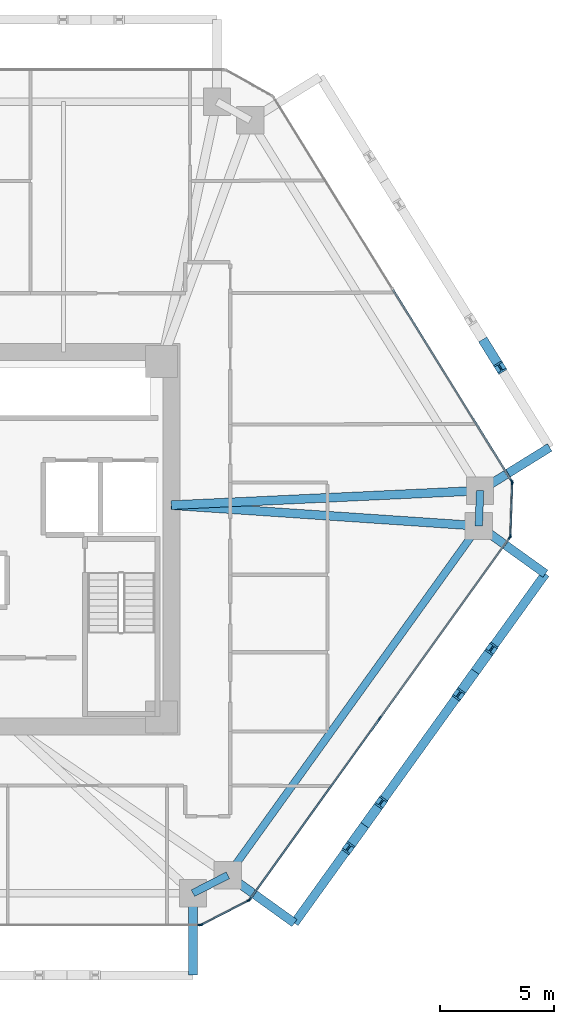
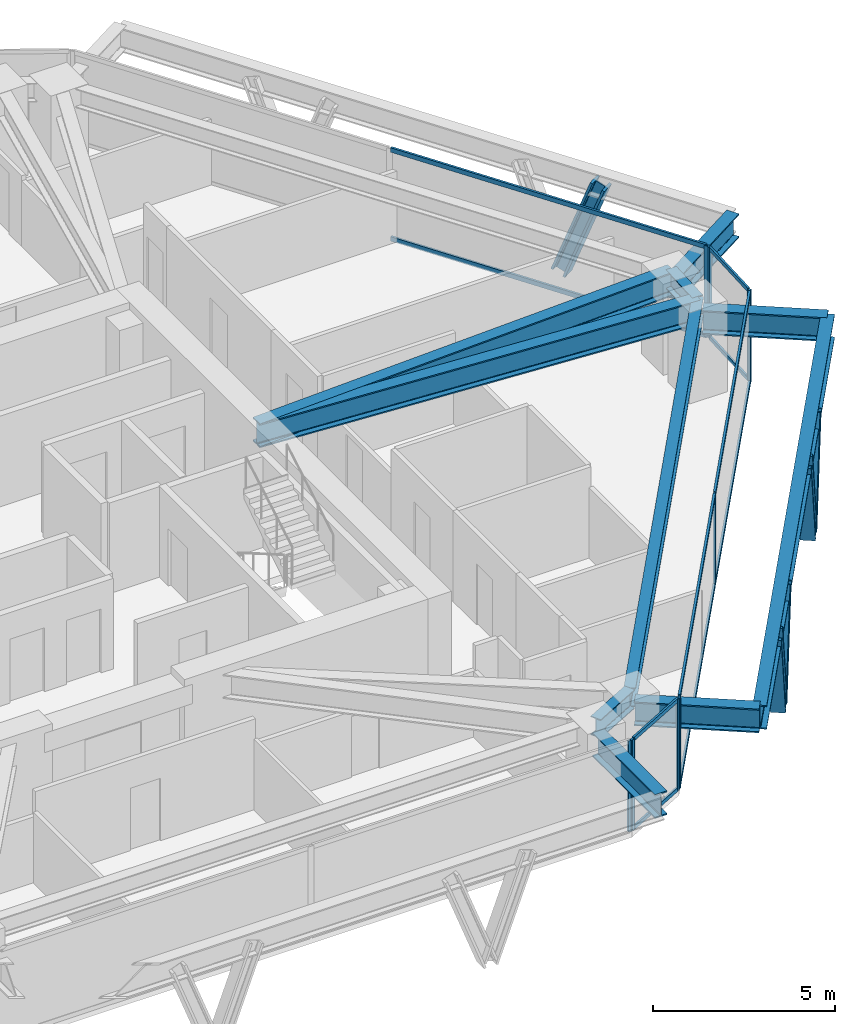
# One storey, part 5 of 14: 24 members, 10 beams, 5 elements without a shape of their own.
"""IFC4 building model written with IfcOpenShell, lengths in metres."""

from ifc_helpers import new_model, si_unit, direction, frame, origin, origin_2d, place, context, subcontext, project, spatial, rectangle, i_section, extrude, source, transform, mapped, material, layer, layer_set, material_profile, profile_set, type_object, type_shapes, element, aggregate, save


model = new_model("IFC4")

# Units and contexts
model_context = context("Model", 3, precision=1e-05, world=origin(), true_north=direction((0.0, 1.0)))
body_context = subcontext(model_context, "Body", "Model", "MODEL_VIEW")
ifc_project = project(units=[si_unit("LENGTHUNIT", "METRE"), si_unit("AREAUNIT", "SQUARE_METRE"), si_unit("VOLUMEUNIT", "CUBIC_METRE"), si_unit("PLANEANGLEUNIT", "RADIAN"), si_unit("MASSUNIT", "GRAM", prefix="KILO")], contexts=[model_context])

# Site, building, storey
site_placement = place(None, origin())
site = spatial("IfcSite", under=ifc_project, at=site_placement, CompositionType="ELEMENT")
building_placement = place(site_placement, origin())
building = spatial("IfcBuilding", under=site, at=building_placement, Name="Durnholm Broadcast Tower", CompositionType="ELEMENT")
storey_placement = place(building_placement, frame((0.0, 0.0, 107.39990234375)))
storey = spatial("IfcBuildingStorey", under=building, at=storey_placement, Name="L28", CompositionType="ELEMENT", Elevation=107.39990234375)

# Beams
ifc_material_1 = material(Name="Steel ASTM A992 Grade 50", Category="steel")
ifc_material_profile_1 = material_profile(ifc_material_1, i_section(OverallWidth=0.385009765625, OverallDepth=0.802978515625, WebThickness=0.023681640625, FlangeThickness=0.0419921875, FilletRadius=0.032958984375, at=origin_2d()), Name="W30X261")
ifc_profile_set_1 = profile_set([ifc_material_profile_1], Name="Steel ASTM A992 Grade 50")
beam_type_1 = type_object("IfcBeamType", Name="BM-EXO-TIE", PredefinedType="USERDEFINED", material=ifc_profile_set_1)
shared_shape_1 = source(origin(), body_context, "Body", "SweptSolid", [
    extrude(i_section(OverallWidth=0.385009765625, OverallDepth=0.802978515625, WebThickness=0.023681640625, FlangeThickness=0.0419921875, FilletRadius=0.032958984375, at=origin_2d()), origin(), (0.0, 0.0, 1.0), 3.4560546875),
])
for number, where, z_axis, x_axis, name in (
    (1, (11.176025390625, -15.680908203125, 2.30859375), (0.0, -1.0, 0.0), (1.0, 0.0, 0.0), "L28 exoskeleton stand-off tie bracket F1.2"),
    (2, (12.826904296875, -14.834228515625, 2.30859375), (0.812164951739, -0.583427880005, 0.0), (0.583427880005, 0.812164951739, 0.0), "L28 exoskeleton stand-off tie bracket F2.1"),
    (3, (23.844970703125, 0.5029296875, 2.30859375), (0.812164951739, -0.583427880005, 0.0), (0.583427880005, 0.812164951739, 0.0), "L28 exoskeleton stand-off tie bracket F2.2"),
    (4, (23.903076171875, 2.21240234375, 2.30859375), (0.849795112316, 0.527113144481, 0.0), (-0.527113144481, 0.849795112316, 0.0), "L28 exoskeleton stand-off tie bracket F3.1"),
):
    element("IfcBeam", number, at=place(storey_placement, frame(where, z_axis=z_axis, x_axis=x_axis)), inside=storey, type_object=beam_type_1, Name=name, ObjectType="GIRDER", PredefinedType="USERDEFINED", context=body_context, shape_type="MappedRepresentation", body=[
        mapped(shared_shape_1, transform((0.0, 0.0, 0.0), x_axis=(1.0, 0.0, 0.0), y_axis=(0.0, 1.0, 0.0), z_axis=(0.0, 0.0, 1.0), scale=1.0)),
    ])
ifc_material_profile_2 = material_profile(ifc_material_1, i_section(OverallWidth=0.3291015625, OverallDepth=0.635009765625, WebThickness=0.017822265625, FlangeThickness=0.031005859375, FilletRadius=0.02783203125, at=origin_2d()), Name="W24X162")
ifc_profile_set_2 = profile_set([ifc_material_profile_2], Name="Steel ASTM A992 Grade 50")
beam_type_2 = type_object("IfcBeamType", Name="STL-SP-W24X162", PredefinedType="SPANDREL", material=ifc_profile_set_2)
shared_shape_2 = source(origin(), body_context, "Body", "SweptSolid", [
    extrude(i_section(OverallWidth=0.3291015625, OverallDepth=0.635009765625, WebThickness=0.017822265625, FlangeThickness=0.031005859375, FilletRadius=0.02783203125, at=origin_2d()), origin(), (0.0, 0.0, 1.0), 18.884521484375),
])
beam_1_placement = place(storey_placement, frame((23.72802734375, 0.5869140625, 2.7275390625), z_axis=(-0.583443434414, -0.812153777827, 0.0), x_axis=(0.812153777827, -0.583443434414, 0.0)))
element("IfcBeam", 5, at=beam_1_placement, inside=storey, type_object=beam_type_2, Name="L28 perimeter spandrel girder 09", PredefinedType="SPANDREL", context=body_context, shape_type="MappedRepresentation", body=[
    mapped(shared_shape_2, transform((0.0, 0.0, 0.0), x_axis=(1.0, 0.0, 0.0), y_axis=(0.0, 1.0, 0.0), z_axis=(0.0, 0.0, 1.0), scale=1.0)),
])
shared_shape_3 = source(origin(), body_context, "Body", "SweptSolid", [
    extrude(i_section(OverallWidth=0.3291015625, OverallDepth=0.635009765625, WebThickness=0.017822265625, FlangeThickness=0.031005859375, FilletRadius=0.02783203125, at=origin_2d()), origin(), (0.0, 0.0, 1.0), 1.723876953125),
])
beam_2_placement = place(storey_placement, frame((12.7099609375, -14.750244140625, 2.7275390625), z_axis=(-0.889762904339, -0.456423020959, 0.0), x_axis=(0.456423020959, -0.889762904339, 0.0)))
element("IfcBeam", 6, at=beam_2_placement, inside=storey, type_object=beam_type_2, Name="L28 perimeter spandrel girder 10", PredefinedType="SPANDREL", context=body_context, shape_type="MappedRepresentation", body=[
    mapped(shared_shape_3, transform((0.0, 0.0, 0.0), x_axis=(1.0, 0.0, 0.0), y_axis=(0.0, 1.0, 0.0), z_axis=(0.0, 0.0, 1.0), scale=1.0)),
])
shared_shape_4 = source(origin(), body_context, "Body", "SweptSolid", [
    extrude(i_section(OverallWidth=0.3291015625, OverallDepth=0.635009765625, WebThickness=0.017822265625, FlangeThickness=0.031005859375, FilletRadius=0.02783203125, at=origin_2d()), origin(), (0.0, 0.0, 1.0), 1.55078125),
])
type_shapes(beam_type_2, [shared_shape_2, shared_shape_3, shared_shape_4])
beam_3_placement = place(storey_placement, frame((23.78076171875, 2.13671875, 2.7275390625), z_axis=(-0.03400678419, -0.999421602042, 0.0), x_axis=(0.999421602042, -0.03400678419, 0.0)))
element("IfcBeam", 7, at=beam_3_placement, inside=storey, type_object=beam_type_2, Name="L28 perimeter spandrel girder 08", PredefinedType="SPANDREL", context=body_context, shape_type="MappedRepresentation", body=[
    mapped(shared_shape_4, transform((0.0, 0.0, 0.0), x_axis=(1.0, 0.0, 0.0), y_axis=(0.0, 1.0, 0.0), z_axis=(0.0, 0.0, 1.0), scale=1.0)),
])
ifc_material_profile_3 = material_profile(ifc_material_1, i_section(OverallWidth=0.385009765625, OverallDepth=0.802978515625, WebThickness=0.023681640625, FlangeThickness=0.0419921875, FilletRadius=0.032958984375, at=origin_2d()), Name="W30X261")
ifc_profile_set_3 = profile_set([ifc_material_profile_3], Name="Steel ASTM A992 Grade 50")
beam_type_3 = type_object("IfcBeamType", Name="STL-GR-W30X261", PredefinedType="USERDEFINED", material=ifc_profile_set_3)
shared_shape_5 = source(origin(), body_context, "Body", "SweptSolid", [
    extrude(i_section(OverallWidth=0.385009765625, OverallDepth=0.802978515625, WebThickness=0.023681640625, FlangeThickness=0.0419921875, FilletRadius=0.032958984375, at=origin_2d()), origin(), (0.0, 0.0, 1.0), 13.570556640625),
])
beam_4_placement = place(storey_placement, frame((10.22509765625, 1.5, 2.6435546875), z_axis=(0.99889869961, 0.046918950518, 0.0), x_axis=(-0.046918950518, 0.99889869961, 0.0)))
element("IfcBeam", 8, at=beam_4_placement, inside=storey, type_object=beam_type_3, Name="L28 radial primary floor girder 08", ObjectType="GIRDER", PredefinedType="USERDEFINED", context=body_context, shape_type="MappedRepresentation", body=[
    mapped(shared_shape_5, transform((0.0, 0.0, 0.0), x_axis=(1.0, 0.0, 0.0), y_axis=(0.0, 1.0, 0.0), z_axis=(0.0, 0.0, 1.0), scale=1.0)),
])
shared_shape_6 = source(origin(), body_context, "Body", "SweptSolid", [
    extrude(i_section(OverallWidth=0.385009765625, OverallDepth=0.802978515625, WebThickness=0.023681640625, FlangeThickness=0.0419921875, FilletRadius=0.032958984375, at=origin_2d()), origin(), (0.0, 0.0, 1.0), 13.53369140625),
])
type_shapes(beam_type_3, [shared_shape_5, shared_shape_6])
beam_5_placement = place(storey_placement, frame((10.22509765625, 1.5, 2.6435546875), z_axis=(0.99772148964, -0.067467244725, 0.0), x_axis=(0.067467244725, 0.99772148964, 0.0)))
element("IfcBeam", 9, at=beam_5_placement, inside=storey, type_object=beam_type_3, Name="L28 radial primary floor girder 09", ObjectType="GIRDER", PredefinedType="USERDEFINED", context=body_context, shape_type="MappedRepresentation", body=[
    mapped(shared_shape_6, transform((0.0, 0.0, 0.0), x_axis=(1.0, 0.0, 0.0), y_axis=(0.0, 1.0, 0.0), z_axis=(0.0, 0.0, 1.0), scale=1.0)),
])
shared_shape_7 = source(origin(), body_context, "Body", "SweptSolid", [
    extrude(i_section(OverallWidth=0.385009765625, OverallDepth=0.802978515625, WebThickness=0.023681640625, FlangeThickness=0.0419921875, FilletRadius=0.032958984375, at=origin_2d()), origin(), (0.0, 0.0, 1.0), 18.884521484375),
])
type_shapes(beam_type_1, [shared_shape_1, shared_shape_7])
beam_6_placement = place(storey_placement, frame((15.6337890625, -16.8505859375, 2.30859375), z_axis=(0.583443434414, 0.812153777827, 0.0), x_axis=(-0.812153777827, 0.583443434414, 0.0)))
element("IfcBeam", 10, at=beam_6_placement, inside=storey, type_object=beam_type_1, Name="L28 exoskeleton collector spandrel F2", PredefinedType="SPANDREL", context=body_context, shape_type="MappedRepresentation", body=[
    mapped(shared_shape_7, transform((0.0, 0.0, 0.0), x_axis=(1.0, 0.0, 0.0), y_axis=(0.0, 1.0, 0.0), z_axis=(0.0, 0.0, 1.0), scale=1.0)),
])

# Members
ifc_material_2 = material(Name="Steel ASTM A913 Grade 65", Category="steel")
ifc_material_profile_4 = material_profile(ifc_material_2, i_section(OverallWidth=0.424072265625, OverallDepth=0.47412109375, WebThickness=0.047607421875, FlangeThickness=0.0771484375, FilletRadius=0.030517578125, at=origin_2d()), Name="W14X426")
ifc_profile_set_4 = profile_set([ifc_material_profile_4], Name="Steel ASTM A913 Grade 65")
member_type_1 = type_object("IfcMemberType", Name="STL-DG-W14X426", PredefinedType="BRACE", material=ifc_profile_set_4)
shared_shape_8 = source(origin(), body_context, "Body", "SweptSolid", [
    extrude(i_section(OverallWidth=0.424072265625, OverallDepth=0.47412109375, WebThickness=0.047607421875, FlangeThickness=0.0771484375, FilletRadius=0.030517578125, at=origin_2d()), origin(), (0.0, 0.0, 1.0), 3.52294921875),
])
type_shapes(member_type_1, [shared_shape_8])
for number, where, z_axis, x_axis, name in (
    (11, (18.71875, -12.556396484375, -0.9912109375), (-0.204301080379, -0.284413715697, 0.936680258615), (0.812179469647, -0.583407669717, 0.0), "L28 stand-off diagrid brace F2.D1.1"),
    (12, (18.71875, -12.556396484375, -0.9912109375), (0.204363459575, 0.284473381335, 0.936648531576), (-0.812153063014, 0.583444429434, 0.0), "L28 stand-off diagrid brace F2.D1.2"),
    (13, (23.56689453125, -5.807861328125, -0.9912109375), (-0.204363459575, -0.284473381335, 0.936648531576), (0.812153063014, -0.583444429434, 0.0), "L28 stand-off diagrid brace F2.D2.1"),
    (14, (23.56689453125, -5.807861328125, -0.9912109375), (0.204301080379, 0.284413715697, 0.936680258615), (-0.812179469647, 0.583407669717, 0.0), "L28 stand-off diagrid brace F2.D2.2"),
    (15, (24.01513671875, 8.58837890625, -0.9912109375), (0.184614818514, -0.297642884954, 0.936656864503), (0.849805205368, 0.527096872433, 0.0), "L28 stand-off diagrid brace F3.D1.1"),
):
    element("IfcMember", number, at=place(storey_placement, frame(where, z_axis=z_axis, x_axis=x_axis)), inside=storey, type_object=member_type_1, Name=name, PredefinedType="BRACE", context=body_context, shape_type="MappedRepresentation", body=[
        mapped(shared_shape_8, transform((0.0, 0.0, 0.0), x_axis=(1.0, 0.0, 0.0), y_axis=(0.0, 1.0, 0.0), z_axis=(0.0, 0.0, 1.0), scale=1.0)),
    ])

# Curtain wall, members
ifc_material_3 = material(Name="Aluminium and Solar Control IGU", Category="aluminium")
ifc_layer_1 = layer(ifc_material_3, 0.1650390625)
ifc_layer_set_1 = layer_set([ifc_layer_1], Name="Aluminium and Solar Control IGU")
curtain_wall_type_1 = type_object("IfcCurtainWallType", Name="CW-SYS-5", PredefinedType="NOTDEFINED", material=ifc_layer_set_1)
curtain_wall_1_placement = place(storey_placement, origin())
curtain_wall_1 = element("IfcCurtainWall", 16, at=curtain_wall_1_placement, inside=storey, type_object=curtain_wall_type_1, Name="L28 curtain wall CW-CORNER CW-L28-CRN-07", PredefinedType="NOTDEFINED")
ifc_material_4 = material(Name="Aluminium 6063-T6", Category="aluminium")
ifc_material_profile_5 = material_profile(ifc_material_4, rectangle(XDim=0.06494140625, YDim=0.1650390625, at=origin_2d()), Name="CWM65X165")
ifc_profile_set_5 = profile_set([ifc_material_profile_5], Name="Aluminium 6063-T6")
member_type_2 = type_object("IfcMemberType", Name="CW-SYS-5-MUL", PredefinedType="MULLION", material=ifc_profile_set_5)
shared_shape_9 = source(origin(), body_context, "Body", "SweptSolid", [
    extrude(rectangle(XDim=0.06494140625, YDim=0.1650390625, at=origin_2d()), origin(), (0.0, 0.0, 1.0), 3.06005859375),
])
type_shapes(member_type_2, [shared_shape_9])
member_1_placement = place(storey_placement, frame((25.193115234375, 2.481201171875, 0.0), z_axis=(0.0, 0.0, 1.0), x_axis=(0.999424655155, -0.033916937775, 0.0)))
member_1 = element("IfcMember", 17, at=member_1_placement, type_object=member_type_2, Name="CW-CORNER mullion 1", PredefinedType="MULLION", context=body_context, shape_type="MappedRepresentation", body=[
    mapped(shared_shape_9, transform((0.0, 0.0, 0.0), x_axis=(1.0, 0.0, 0.0), y_axis=(0.0, 1.0, 0.0), z_axis=(0.0, 0.0, 1.0), scale=1.0)),
])
member_2_placement = place(storey_placement, frame((25.114013671875, 0.1474609375, 0.0), z_axis=(0.0, 0.0, 1.0), x_axis=(0.999424655155, -0.033916937775, 0.0)))
member_2 = element("IfcMember", 18, at=member_2_placement, type_object=member_type_2, Name="CW-CORNER mullion 2", PredefinedType="MULLION", context=body_context, shape_type="MappedRepresentation", body=[
    mapped(shared_shape_9, transform((0.0, 0.0, 0.0), x_axis=(1.0, 0.0, 0.0), y_axis=(0.0, 1.0, 0.0), z_axis=(0.0, 0.0, 1.0), scale=1.0)),
])

curtain_wall_2_placement = place(storey_placement, origin())
curtain_wall_2 = element("IfcCurtainWall", 19, at=curtain_wall_2_placement, inside=storey, type_object=curtain_wall_type_1, Name="L28 curtain wall CW-CORNER CW-L28-CRN-09", PredefinedType="NOTDEFINED")
member_3_placement = place(storey_placement, frame((13.620849609375, -15.8564453125, 0.0), z_axis=(0.0, 0.0, 1.0), x_axis=(0.45637332267, -0.889788396392, 0.0)))
member_3 = element("IfcMember", 20, at=member_3_placement, type_object=member_type_2, Name="CW-CORNER mullion 1", PredefinedType="MULLION", context=body_context, shape_type="MappedRepresentation", body=[
    mapped(shared_shape_9, transform((0.0, 0.0, 0.0), x_axis=(1.0, 0.0, 0.0), y_axis=(0.0, 1.0, 0.0), z_axis=(0.0, 0.0, 1.0), scale=1.0)),
])
member_4_placement = place(storey_placement, frame((11.543212890625, -16.922119140625, 0.0), z_axis=(0.0, 0.0, 1.0), x_axis=(0.45637332267, -0.889788396392, 0.0)))
member_4 = element("IfcMember", 21, at=member_4_placement, type_object=member_type_2, Name="CW-CORNER mullion 2", PredefinedType="MULLION", context=body_context, shape_type="MappedRepresentation", body=[
    mapped(shared_shape_9, transform((0.0, 0.0, 0.0), x_axis=(1.0, 0.0, 0.0), y_axis=(0.0, 1.0, 0.0), z_axis=(0.0, 0.0, 1.0), scale=1.0)),
])

# Curtain wall, member
ifc_layer_2 = layer(ifc_material_3, 0.18994140625)
ifc_layer_set_2 = layer_set([ifc_layer_2], Name="Aluminium and Solar Control IGU")
curtain_wall_type_2 = type_object("IfcCurtainWallType", Name="CW-SYS-3", PredefinedType="NOTDEFINED", material=ifc_layer_set_2)
curtain_wall_3_placement = place(storey_placement, origin())
curtain_wall_3 = element("IfcCurtainWall", 22, at=curtain_wall_3_placement, inside=storey, type_object=curtain_wall_type_2, Name="L28 curtain wall CW-Z12-VIS CW-L28-F06", PredefinedType="NOTDEFINED")
ifc_material_profile_6 = material_profile(ifc_material_4, rectangle(XDim=0.070068359375, YDim=0.18994140625, at=origin_2d()), Name="CWM70X190")
ifc_profile_set_6 = profile_set([ifc_material_profile_6], Name="Aluminium 6063-T6")
member_type_3 = type_object("IfcMemberType", Name="CW-SYS-3-MUL", PredefinedType="MULLION", material=ifc_profile_set_6)
shared_shape_10 = source(origin(), body_context, "Body", "SweptSolid", [
    extrude(rectangle(XDim=0.070068359375, YDim=0.18994140625, at=origin_2d()), origin(), (0.0, 0.0, 1.0), 3.06005859375),
])
type_shapes(member_type_3, [shared_shape_10])
member_5_placement = place(storey_placement, frame((25.17578125, 2.54345703125, 0.0), z_axis=(0.0, 0.0, 1.0), x_axis=(0.849799925229, 0.527105385176, 0.0)))
member_5 = element("IfcMember", 23, at=member_5_placement, type_object=member_type_3, Name="CW-Z12-VIS mullion 3", PredefinedType="MULLION", context=body_context, shape_type="MappedRepresentation", body=[
    mapped(shared_shape_10, transform((0.0, 0.0, 0.0), x_axis=(1.0, 0.0, 0.0), y_axis=(0.0, 1.0, 0.0), z_axis=(0.0, 0.0, 1.0), scale=1.0)),
])

# Curtain wall, members
curtain_wall_4_placement = place(storey_placement, origin())
curtain_wall_4 = element("IfcCurtainWall", 24, at=curtain_wall_4_placement, inside=storey, type_object=curtain_wall_type_2, Name="L28 curtain wall CW-Z12-VIS CW-L28-F08", PredefinedType="NOTDEFINED")
member_6_placement = place(storey_placement, frame((25.092529296875, 0.086669921875, 0.0), z_axis=(0.0, 0.0, 1.0), x_axis=(0.812152312759, -0.583445473786, 0.0)))
member_6 = element("IfcMember", 25, at=member_6_placement, type_object=member_type_3, Name="CW-Z12-VIS mullion 1", PredefinedType="MULLION", context=body_context, shape_type="MappedRepresentation", body=[
    mapped(shared_shape_10, transform((0.0, 0.0, 0.0), x_axis=(1.0, 0.0, 0.0), y_axis=(0.0, 1.0, 0.0), z_axis=(0.0, 0.0, 1.0), scale=1.0)),
])
member_7_placement = place(storey_placement, frame((19.38134765625, -7.86328125, 0.0), z_axis=(0.0, 0.0, 1.0), x_axis=(0.812152312759, -0.583445473786, 0.0)))
member_7 = element("IfcMember", 26, at=member_7_placement, type_object=member_type_3, Name="CW-Z12-VIS mullion 2", PredefinedType="MULLION", context=body_context, shape_type="MappedRepresentation", body=[
    mapped(shared_shape_10, transform((0.0, 0.0, 0.0), x_axis=(1.0, 0.0, 0.0), y_axis=(0.0, 1.0, 0.0), z_axis=(0.0, 0.0, 1.0), scale=1.0)),
])
member_8_placement = place(storey_placement, frame((13.670166015625, -15.813232421875, 0.0), z_axis=(0.0, 0.0, 1.0), x_axis=(0.812152312759, -0.583445473786, 0.0)))
member_8 = element("IfcMember", 27, at=member_8_placement, type_object=member_type_3, Name="CW-Z12-VIS mullion 3", PredefinedType="MULLION", context=body_context, shape_type="MappedRepresentation", body=[
    mapped(shared_shape_10, transform((0.0, 0.0, 0.0), x_axis=(1.0, 0.0, 0.0), y_axis=(0.0, 1.0, 0.0), z_axis=(0.0, 0.0, 1.0), scale=1.0)),
])

# Curtain wall, member
curtain_wall_5_placement = place(storey_placement, origin())
curtain_wall_5 = element("IfcCurtainWall", 28, at=curtain_wall_5_placement, inside=storey, type_object=curtain_wall_type_2, Name="L28 curtain wall CW-Z12-VIS CW-L28-F10", PredefinedType="NOTDEFINED")
member_9_placement = place(storey_placement, frame((11.479248046875, -16.93701171875, 0.0), z_axis=(0.0, 0.0, 1.0), x_axis=(0.0, -1.0, 0.0)))
member_9 = element("IfcMember", 29, at=member_9_placement, type_object=member_type_3, Name="CW-Z12-VIS mullion 1", PredefinedType="MULLION", context=body_context, shape_type="MappedRepresentation", body=[
    mapped(shared_shape_10, transform((0.0, 0.0, 0.0), x_axis=(1.0, 0.0, 0.0), y_axis=(0.0, 1.0, 0.0), z_axis=(0.0, 0.0, 1.0), scale=1.0)),
])
aggregate(curtain_wall_5, [member_9])

# Member
ifc_material_profile_7 = material_profile(ifc_material_4, rectangle(XDim=0.06494140625, YDim=0.1298828125, at=origin_2d()), Name="CWT65X130")
ifc_profile_set_7 = profile_set([ifc_material_profile_7], Name="Aluminium 6063-T6")
member_type_4 = type_object("IfcMemberType", Name="CW-SYS-5-TRN", PredefinedType="USERDEFINED", material=ifc_profile_set_7)
shared_shape_11 = source(origin(), body_context, "Body", "SweptSolid", [
    extrude(rectangle(XDim=0.06494140625, YDim=0.1298828125, at=origin_2d()), origin(), (0.0, 0.0, 1.0), 2.27001953125),
])
type_shapes(member_type_4, [shared_shape_11])
member_10_placement = place(storey_placement, frame((25.192138671875, 2.44873046875, 0.03271484375), z_axis=(-0.03398444704, -0.999422361847, 0.0), x_axis=(0.999422361847, -0.03398444704, 0.0)))
member_10 = element("IfcMember", 30, at=member_10_placement, type_object=member_type_4, Name="CW-CORNER transom 1.1", ObjectType="TRANSOM", PredefinedType="USERDEFINED", context=body_context, shape_type="MappedRepresentation", body=[
    mapped(shared_shape_11, transform((0.0, 0.0, 0.0), x_axis=(1.0, 0.0, 0.0), y_axis=(0.0, 1.0, 0.0), z_axis=(0.0, 0.0, 1.0), scale=1.0)),
])

member_11_placement = place(storey_placement, frame((25.192138671875, 2.44873046875, 3.027587890625), z_axis=(-0.03398444704, -0.999422361847, 0.0), x_axis=(0.999422361847, -0.03398444704, 0.0)))
member_11 = element("IfcMember", 31, at=member_11_placement, type_object=member_type_4, Name="CW-CORNER transom 1.2", ObjectType="TRANSOM", PredefinedType="USERDEFINED", context=body_context, shape_type="MappedRepresentation", body=[
    mapped(shared_shape_11, transform((0.0, 0.0, 0.0), x_axis=(1.0, 0.0, 0.0), y_axis=(0.0, 1.0, 0.0), z_axis=(0.0, 0.0, 1.0), scale=1.0)),
])

aggregate(curtain_wall_1, [member_1, member_2, member_10, member_11])

member_12_placement = place(storey_placement, frame((13.591796875, -15.871337890625, 0.03271484375), z_axis=(-0.889798425843, -0.456353767781, 0.0), x_axis=(0.456353767781, -0.889798425843, 0.0)))
member_12 = element("IfcMember", 32, at=member_12_placement, type_object=member_type_4, Name="CW-CORNER transom 1.1", ObjectType="TRANSOM", PredefinedType="USERDEFINED", context=body_context, shape_type="MappedRepresentation", body=[
    mapped(shared_shape_11, transform((0.0, 0.0, 0.0), x_axis=(1.0, 0.0, 0.0), y_axis=(0.0, 1.0, 0.0), z_axis=(0.0, 0.0, 1.0), scale=1.0)),
])

member_13_placement = place(storey_placement, frame((13.591796875, -15.871337890625, 3.027587890625), z_axis=(-0.889798425843, -0.456353767781, 0.0), x_axis=(0.456353767781, -0.889798425843, 0.0)))
member_13 = element("IfcMember", 33, at=member_13_placement, type_object=member_type_4, Name="CW-CORNER transom 1.2", ObjectType="TRANSOM", PredefinedType="USERDEFINED", context=body_context, shape_type="MappedRepresentation", body=[
    mapped(shared_shape_11, transform((0.0, 0.0, 0.0), x_axis=(1.0, 0.0, 0.0), y_axis=(0.0, 1.0, 0.0), z_axis=(0.0, 0.0, 1.0), scale=1.0)),
])

aggregate(curtain_wall_2, [member_3, member_4, member_12, member_13])

ifc_material_profile_8 = material_profile(ifc_material_4, rectangle(XDim=0.070068359375, YDim=0.14990234375, at=origin_2d()), Name="CWT70X150")
ifc_profile_set_8 = profile_set([ifc_material_profile_8], Name="Aluminium 6063-T6")
member_type_5 = type_object("IfcMemberType", Name="CW-SYS-3-TRN", PredefinedType="USERDEFINED", material=ifc_profile_set_8)
shared_shape_12 = source(origin(), body_context, "Body", "SweptSolid", [
    extrude(rectangle(XDim=0.070068359375, YDim=0.14990234375, at=origin_2d()), origin(), (0.0, 0.0, 1.0), 9.71875),
])
member_14_placement = place(storey_placement, frame((25.072021484375, 0.05810546875, 0.03515625), z_axis=(-0.583450726174, -0.812148539448, 0.0), x_axis=(0.812148539448, -0.583450726174, 0.0)))
member_14 = element("IfcMember", 34, at=member_14_placement, type_object=member_type_5, Name="CW-Z12-VIS transom 1.1", ObjectType="TRANSOM", PredefinedType="USERDEFINED", context=body_context, shape_type="MappedRepresentation", body=[
    mapped(shared_shape_12, transform((0.0, 0.0, 0.0), x_axis=(1.0, 0.0, 0.0), y_axis=(0.0, 1.0, 0.0), z_axis=(0.0, 0.0, 1.0), scale=1.0)),
])

member_15_placement = place(storey_placement, frame((25.072021484375, 0.05810546875, 3.025146484375), z_axis=(-0.583450726174, -0.812148539448, 0.0), x_axis=(0.812148539448, -0.583450726174, 0.0)))
member_15 = element("IfcMember", 35, at=member_15_placement, type_object=member_type_5, Name="CW-Z12-VIS transom 1.2", ObjectType="TRANSOM", PredefinedType="USERDEFINED", context=body_context, shape_type="MappedRepresentation", body=[
    mapped(shared_shape_12, transform((0.0, 0.0, 0.0), x_axis=(1.0, 0.0, 0.0), y_axis=(0.0, 1.0, 0.0), z_axis=(0.0, 0.0, 1.0), scale=1.0)),
])

member_16_placement = place(storey_placement, frame((19.36083984375, -7.891845703125, 0.03515625), z_axis=(-0.583450726174, -0.812148539448, 0.0), x_axis=(0.812148539448, -0.583450726174, 0.0)))
member_16 = element("IfcMember", 36, at=member_16_placement, type_object=member_type_5, Name="CW-Z12-VIS transom 2.1", ObjectType="TRANSOM", PredefinedType="USERDEFINED", context=body_context, shape_type="MappedRepresentation", body=[
    mapped(shared_shape_12, transform((0.0, 0.0, 0.0), x_axis=(1.0, 0.0, 0.0), y_axis=(0.0, 1.0, 0.0), z_axis=(0.0, 0.0, 1.0), scale=1.0)),
])

member_17_placement = place(storey_placement, frame((19.36083984375, -7.891845703125, 3.025146484375), z_axis=(-0.583450726174, -0.812148539448, 0.0), x_axis=(0.812148539448, -0.583450726174, 0.0)))
member_17 = element("IfcMember", 37, at=member_17_placement, type_object=member_type_5, Name="CW-Z12-VIS transom 2.2", ObjectType="TRANSOM", PredefinedType="USERDEFINED", context=body_context, shape_type="MappedRepresentation", body=[
    mapped(shared_shape_12, transform((0.0, 0.0, 0.0), x_axis=(1.0, 0.0, 0.0), y_axis=(0.0, 1.0, 0.0), z_axis=(0.0, 0.0, 1.0), scale=1.0)),
])

aggregate(curtain_wall_4, [member_6, member_7, member_8, member_14, member_15, member_16, member_17])

shared_shape_13 = source(origin(), body_context, "Body", "SweptSolid", [
    extrude(rectangle(XDim=0.070068359375, YDim=0.14990234375, at=origin_2d()), origin(), (0.0, 0.0, 1.0), 9.859130859375),
])
type_shapes(member_type_5, [shared_shape_12, shared_shape_13])
member_18_placement = place(storey_placement, frame((19.960693359375, 10.951171875, 0.03515625), z_axis=(0.527108872232, -0.849797762303, 0.0), x_axis=(0.849797762303, 0.527108872232, 0.0)))
member_18 = element("IfcMember", 38, at=member_18_placement, type_object=member_type_5, Name="CW-Z12-VIS transom 2.1", ObjectType="TRANSOM", PredefinedType="USERDEFINED", context=body_context, shape_type="MappedRepresentation", body=[
    mapped(shared_shape_13, transform((0.0, 0.0, 0.0), x_axis=(1.0, 0.0, 0.0), y_axis=(0.0, 1.0, 0.0), z_axis=(0.0, 0.0, 1.0), scale=1.0)),
])

member_19_placement = place(storey_placement, frame((19.960693359375, 10.951171875, 3.025146484375), z_axis=(0.527108872232, -0.849797762303, 0.0), x_axis=(0.849797762303, 0.527108872232, 0.0)))
member_19 = element("IfcMember", 39, at=member_19_placement, type_object=member_type_5, Name="CW-Z12-VIS transom 2.2", ObjectType="TRANSOM", PredefinedType="USERDEFINED", context=body_context, shape_type="MappedRepresentation", body=[
    mapped(shared_shape_13, transform((0.0, 0.0, 0.0), x_axis=(1.0, 0.0, 0.0), y_axis=(0.0, 1.0, 0.0), z_axis=(0.0, 0.0, 1.0), scale=1.0)),
])

aggregate(curtain_wall_3, [member_5, member_18, member_19])

save(model, "model.ifc")
